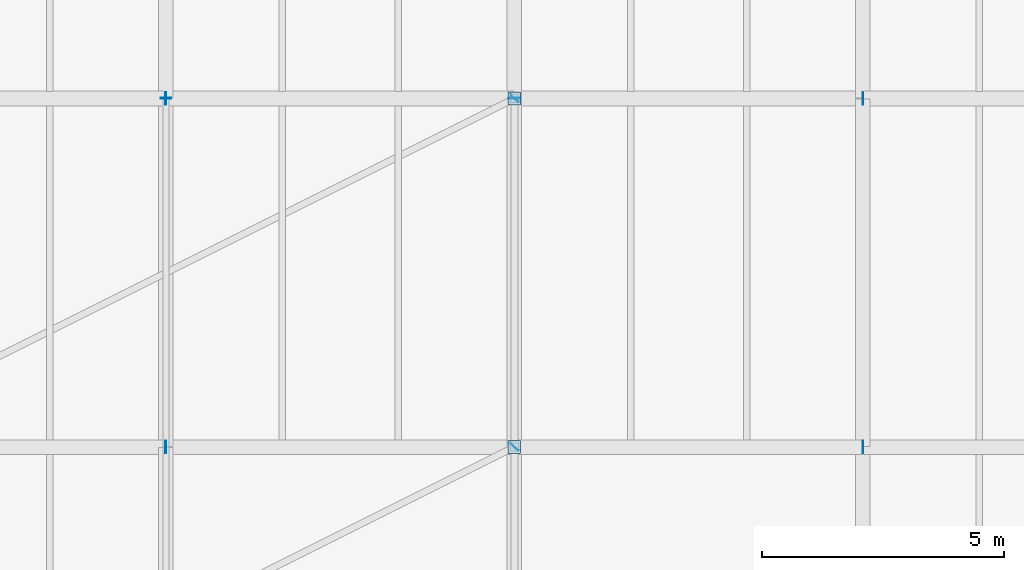
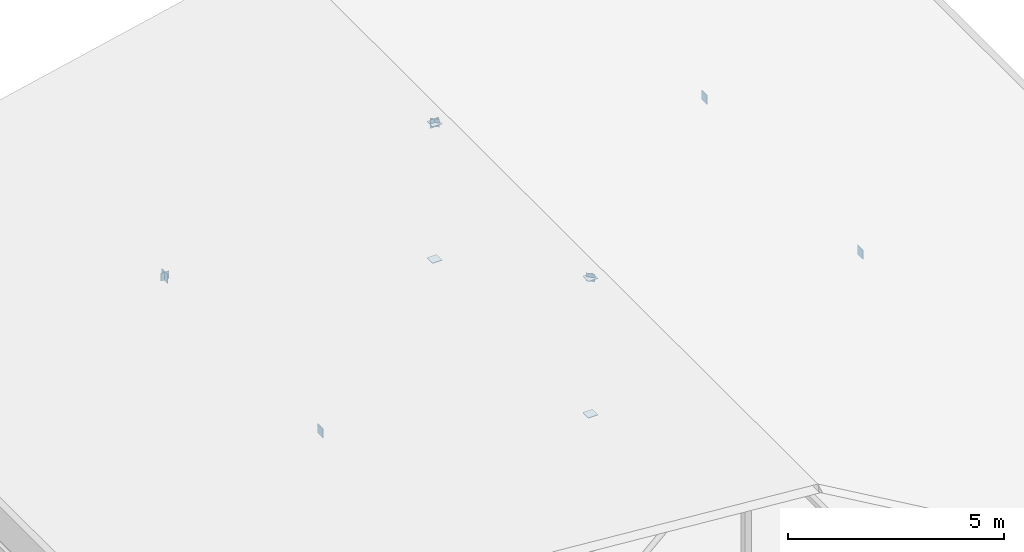
# One storey, part 29 of 44: 12 plates.
"""IFC4 building model written with IfcOpenShell, lengths in metres."""

from ifc_helpers import new_model, si_unit, direction, frame, origin, origin_2d, place, context, subcontext, project, spatial, rectangle, extrude, material, layer, layer_set, type_object, element, save


model = new_model("IFC4")

# Units and contexts
model_context = context("Model", 3, precision=1e-05, world=origin(), true_north=direction((0.0, 1.0)))
body_context = subcontext(model_context, "Body", "Model", "MODEL_VIEW")
ifc_project = project(units=[si_unit("LENGTHUNIT", "METRE"), si_unit("AREAUNIT", "SQUARE_METRE"), si_unit("VOLUMEUNIT", "CUBIC_METRE"), si_unit("PLANEANGLEUNIT", "RADIAN"), si_unit("MASSUNIT", "GRAM", prefix="KILO")], contexts=[model_context])

# Site, building, storey
site_placement = place(None, origin())
site = spatial("IfcSite", under=ifc_project, at=site_placement, CompositionType="ELEMENT")
building_placement = place(site_placement, origin())
building = spatial("IfcBuilding", under=site, at=building_placement, Name="Narikvali Park Central Library", CompositionType="ELEMENT")
storey_placement = place(building_placement, frame((0.0, 0.0, 22.800048828125)))
storey = spatial("IfcBuildingStorey", under=building, at=storey_placement, Name="L05", CompositionType="ELEMENT", Elevation=22.800048828125)

# Plates
ifc_material = material(Name="Steel S355", Category="steel")
ifc_layer = layer(ifc_material, 0.013916015625, Name="Steel S355")
ifc_layer_set = layer_set([ifc_layer], Name="Steel S355")
plate_type = type_object("IfcPlateType", Name="Steel Hollow End Cap Plate 14", PredefinedType="SHEET", material=ifc_layer_set)
plate_1_placement = place(storey_placement, frame((43.202392578125, 86.40234375, 3.4921875), z_axis=(0.0, 0.0, 1.0), x_axis=(0.707106781187, -0.707106781187, 0.0)))
element("IfcPlate", 1, at=plate_1_placement, inside=storey, type_object=plate_type, Name="Hollow Section Steel End Cap V4-WBCAP-1-3", PredefinedType="SHEET", context=body_context, shape_type="SweptSolid", body=[
    extrude(rectangle(XDim=0.219970703125, YDim=0.013916015625, at=origin_2d()), origin(), (0.0, 0.0, 1.0), 0.219970703125),
])
for number, where, z_axis, x_axis, name in (
    (2, (43.199951171875, 86.39990234375, -0.2509765625), (0.0, 0.0, 1.0), (1.0, 0.0, 0.0), "Hollow Section Steel End Cap V4-KPCAP-B-4"),
    (3, (43.199951171875, 86.39990234375, 3.59716796875), (0.0, 0.0, 1.0), (1.0, 0.0, 0.0), "Hollow Section Steel End Cap V4-KPCAP-T-4"),
):
    element("IfcPlate", number, at=place(storey_placement, frame(where, z_axis=z_axis, x_axis=x_axis)), inside=storey, type_object=plate_type, Name=name, PredefinedType="SHEET", context=body_context, shape_type="SweptSolid", body=[
        extrude(rectangle(XDim=0.260009765625, YDim=0.260009765625, at=origin_2d()), origin(), (0.0, 0.0, 1.0), 0.013916015625),
    ])
for number, where, z_axis, x_axis, name in (
    (4, (35.99609375, 86.39990234375, 1.669921875), (0.0, 0.0, 1.0), (-1.0, 0.0, 0.0), "Hollow Section Steel End Cap V4-CTCAP-W-4"),
    (5, (50.404052734375, 86.39990234375, 1.669921875), (0.0, 0.0, 1.0), (1.0, 0.0, 0.0), "Hollow Section Steel End Cap V4-CTCAP-E-4"),
):
    element("IfcPlate", number, at=place(storey_placement, frame(where, z_axis=z_axis, x_axis=x_axis)), inside=storey, type_object=plate_type, Name=name, PredefinedType="SHEET", context=body_context, shape_type="SweptSolid", body=[
        extrude(rectangle(XDim=0.013916015625, YDim=0.260009765625, at=origin_2d()), origin(), (0.0, 0.0, 1.0), 0.260009765625),
    ])
plate_2_placement = place(storey_placement, frame((43.202392578125, 93.602294921875, 3.4921875), z_axis=(0.0, 0.0, 1.0), x_axis=(0.707106781187, -0.707106781187, 0.0)))
element("IfcPlate", 6, at=plate_2_placement, inside=storey, type_object=plate_type, Name="Hollow Section Steel End Cap V4-WBCAP-1-4", PredefinedType="SHEET", context=body_context, shape_type="SweptSolid", body=[
    extrude(rectangle(XDim=0.219970703125, YDim=0.013916015625, at=origin_2d()), origin(), (0.0, 0.0, 1.0), 0.219970703125),
])
plate_3_placement = place(storey_placement, frame((43.199951171875, 93.60400390625, 3.47998046875), z_axis=(0.0, 0.0, 1.0), x_axis=(1.0, 0.0, 0.0)))
element("IfcPlate", 7, at=plate_3_placement, inside=storey, type_object=plate_type, Name="Hollow Section Steel End Cap V4-RPCAP-N", PredefinedType="SHEET", context=body_context, shape_type="SweptSolid", body=[
    extrude(rectangle(XDim=0.239990234375, YDim=0.013916015625, at=origin_2d()), origin(), (0.0, 0.0, 1.0), 0.239990234375),
])
plate_4_placement = place(storey_placement, frame((36.0, 93.60400390625, 1.68994140625), z_axis=(0.0, 0.0, 1.0), x_axis=(1.0, 0.0, 0.0)))
element("IfcPlate", 8, at=plate_4_placement, inside=storey, type_object=plate_type, Name="Hollow Section Steel End Cap V4-MPCAP-N", PredefinedType="SHEET", context=body_context, shape_type="SweptSolid", body=[
    extrude(rectangle(XDim=0.219970703125, YDim=0.013916015625, at=origin_2d()), origin(), (0.0, 0.0, 1.0), 0.219970703125),
])
for number, where, z_axis, x_axis, name in (
    (9, (43.199951171875, 93.60009765625, -0.2509765625), (0.0, 0.0, 1.0), (1.0, 0.0, 0.0), "Hollow Section Steel End Cap V4-KPCAP-B-5"),
    (10, (43.199951171875, 93.60009765625, 3.59716796875), (0.0, 0.0, 1.0), (1.0, 0.0, 0.0), "Hollow Section Steel End Cap V4-KPCAP-T-5"),
):
    element("IfcPlate", number, at=place(storey_placement, frame(where, z_axis=z_axis, x_axis=x_axis)), inside=storey, type_object=plate_type, Name=name, PredefinedType="SHEET", context=body_context, shape_type="SweptSolid", body=[
        extrude(rectangle(XDim=0.260009765625, YDim=0.260009765625, at=origin_2d()), origin(), (0.0, 0.0, 1.0), 0.013916015625),
    ])
for number, where, z_axis, x_axis, name in (
    (11, (35.99609375, 93.60009765625, 1.669921875), (0.0, 0.0, 1.0), (-1.0, 0.0, 0.0), "Hollow Section Steel End Cap V4-CTCAP-W-5"),
    (12, (50.404052734375, 93.60009765625, 1.669921875), (0.0, 0.0, 1.0), (1.0, 0.0, 0.0), "Hollow Section Steel End Cap V4-CTCAP-E-5"),
):
    element("IfcPlate", number, at=place(storey_placement, frame(where, z_axis=z_axis, x_axis=x_axis)), inside=storey, type_object=plate_type, Name=name, PredefinedType="SHEET", context=body_context, shape_type="SweptSolid", body=[
        extrude(rectangle(XDim=0.013916015625, YDim=0.260009765625, at=origin_2d()), origin(), (0.0, 0.0, 1.0), 0.260009765625),
    ])

save(model, "model.ifc")
